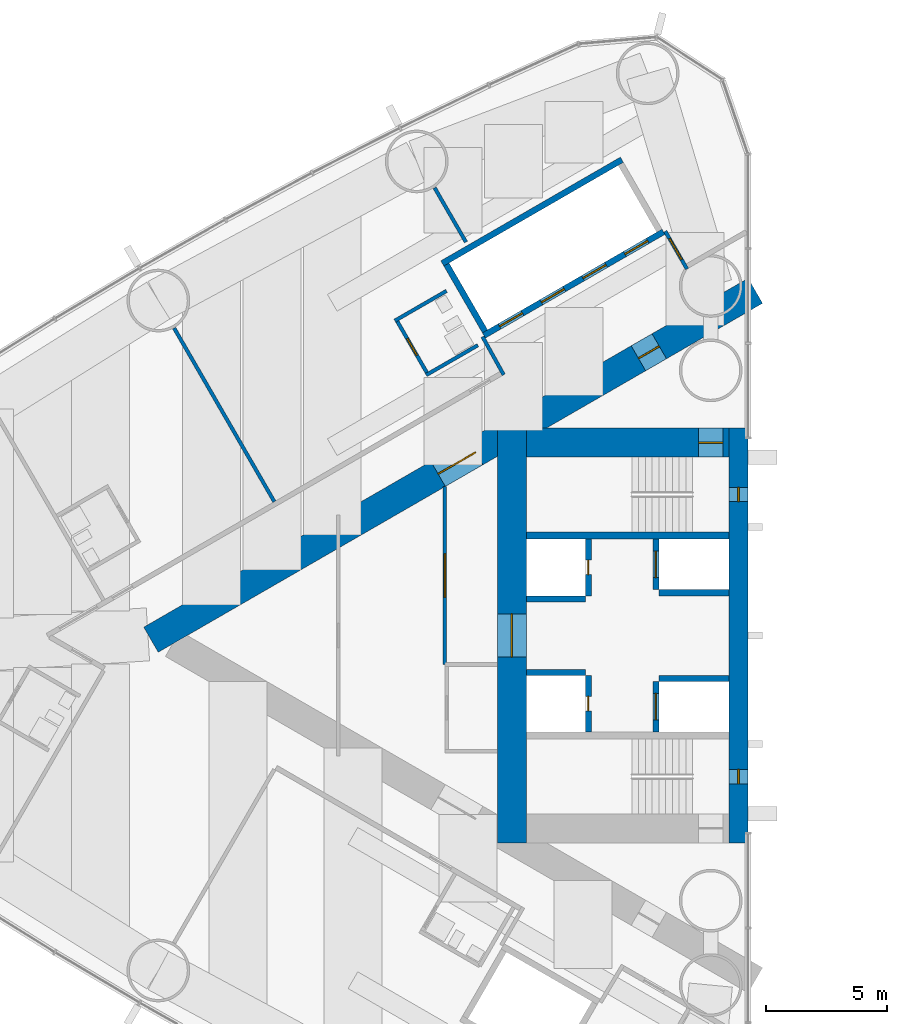
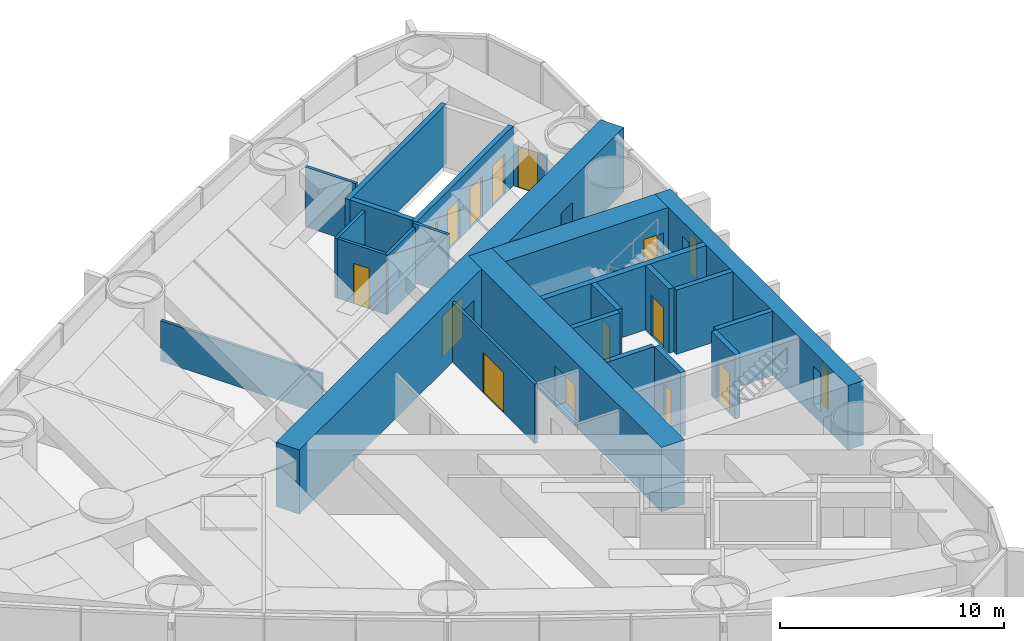
# One storey, part 12 of 19: 24 walls, 15 doors, 2 windows, 17 openings.
"""IFC4 building model written with IfcOpenShell, lengths in metres."""

from ifc_helpers import new_model, si_unit, direction, frame, frame_2d, origin, place, context, subcontext, project, spatial, rectangle, extrude, material, layer, layer_set, type_object, element, fill, save


model = new_model("IFC4")

# Units and contexts
model_context = context("Model", 3, precision=1e-05, world=origin(), true_north=direction((0.0, 1.0)))
body_context = subcontext(model_context, "Body", "Model", "MODEL_VIEW")
ifc_project = project(units=[si_unit("LENGTHUNIT", "METRE"), si_unit("AREAUNIT", "SQUARE_METRE"), si_unit("VOLUMEUNIT", "CUBIC_METRE"), si_unit("PLANEANGLEUNIT", "RADIAN"), si_unit("MASSUNIT", "GRAM", prefix="KILO")], contexts=[model_context])

# Site, building, storey
site_placement = place(None, origin())
site = spatial("IfcSite", under=ifc_project, at=site_placement, CompositionType="ELEMENT")
building_placement = place(site_placement, origin())
building = spatial("IfcBuilding", under=site, at=building_placement, Name="Lancet Gate Hotel", CompositionType="ELEMENT")
storey_placement = place(building_placement, frame((0.0, 0.0, 132.60009765625)))
storey = spatial("IfcBuildingStorey", under=building, at=storey_placement, Name="L35", CompositionType="ELEMENT", Elevation=132.60009765625)

# Wall
ifc_material_1 = material(Name="Moisture resistant board partition")
ifc_layer_1 = layer(ifc_material_1, 0.14990234375)
ifc_layer_set_1 = layer_set([ifc_layer_1], Name="Bathroom wall 150")
wall_type_1 = type_object("IfcWallType", Name="Bathroom wall 150", PredefinedType="PARTITIONING", material=ifc_layer_set_1)
wall_1_placement = place(storey_placement, frame((-40.009765625, 14.294189453125, 0.0), z_axis=(0.0, 0.0, 1.0), x_axis=(-0.866031185235, -0.4999899861, 0.0)))
element("IfcWall", 1, at=wall_1_placement, inside=storey, type_object=wall_type_1, Name="T1 bathroom wall 150 L35", PredefinedType="PARTITIONING", context=body_context, shape_type="SweptSolid", body=[
    extrude(rectangle(XDim=2.47509765625, YDim=0.14990234375, at=frame_2d((1.237548828125, 0.0))), origin(), (0.0, 0.0, 1.0), 3.25),
])

# Wall, opening, door
wall_2_placement = place(storey_placement, frame((-40.788330078125, 10.842529296875, 0.0), z_axis=(0.0, 0.0, 1.0), x_axis=(-0.500006934395, 0.866021400173, 0.0)))
wall_2 = element("IfcWall", 2, at=wall_2_placement, inside=storey, type_object=wall_type_1, Name="T1 bathroom wall 150 L35", PredefinedType="PARTITIONING", context=body_context, shape_type="SweptSolid", body=[
    extrude(rectangle(XDim=2.60009765625, YDim=0.14990234375, at=frame_2d((1.300048828125, 0.0))), origin(), (0.0, 0.0, 1.0), 3.25),
])
opening_1_placement = place(wall_2_placement, frame((0.89990234375, 0.0, 0.0)))
opening_1 = element("IfcOpeningElement", 3, at=opening_1_placement, cuts=wall_2, Name="Opening 3502-B", PredefinedType="OPENING", context=body_context, shape_type="SweptSolid", body=[
    extrude(rectangle(XDim=0.800048828125, YDim=2.199951171875, at=frame_2d((0.39990234375, 1.10009765625))), frame((0.0, 0.0849609375, 0.0), z_axis=(0.0, -1.0, 0.0), x_axis=(1.0, 0.0, 0.0)), (0.0, 0.0, 1.0), 0.169921875),
])
ifc_material_2 = material(Name="Timber door set", Category="wood")
door_type_1 = type_object("IfcDoorType", Name="Bathroom door 800", OperationType="SINGLE_SWING_RIGHT", PredefinedType="DOOR", material=ifc_material_2)
door_1_placement = place(opening_1_placement, origin())
door_1 = element("IfcDoor", 4, at=door_1_placement, inside=storey, type_object=door_type_1, Name="3502-B", OperationType="SINGLE_SWING_RIGHT", OverallHeight=2.199951171875, OverallWidth=0.800048828125, PredefinedType="DOOR", context=body_context, shape_type="SweptSolid", body=[
    extrude(rectangle(XDim=0.800048828125, YDim=2.199951171875, at=frame_2d((0.39990234375, 1.10009765625))), frame((0.0, 0.02490234375, 0.0), z_axis=(0.0, -1.0, 0.0), x_axis=(1.0, 0.0, 0.0)), (0.0, 0.0, 1.0), 0.050048828125),
])
fill(opening_1, door_1)

# Wall
wall_3_placement = place(storey_placement, frame((-38.7099609375, 12.04248046875, 0.0), z_axis=(0.0, 0.0, 1.0), x_axis=(-0.86604923931, -0.499958713387, 0.0)))
element("IfcWall", 5, at=wall_3_placement, inside=storey, type_object=wall_type_1, Name="T1 bathroom wall 150 L35", PredefinedType="PARTITIONING", context=body_context, shape_type="SweptSolid", body=[
    extrude(rectangle(XDim=2.474853515625, YDim=0.14990234375, at=frame_2d((1.2373046875, 0.0))), origin(), (0.0, 0.0, 1.0), 3.25),
])

# Wall, openings, doors
ifc_material_3 = material(Name="Concrete C70/85", Category="concrete")
ifc_layer_2 = layer(ifc_material_3, 1.199951171875)
ifc_layer_set_2 = layer_set([ifc_layer_2], Name="Buttress wall 1200")
wall_type_2 = type_object("IfcWallType", Name="Buttress wall 1200", PredefinedType="SHEAR", material=ifc_layer_set_2)
wall_4_placement = place(storey_placement, frame((-27.199951171875, 14.300048828125, 0.0), z_axis=(0.0, 0.0, 1.0), x_axis=(-0.866026593062, -0.499997940104, 0.0)))
wall_4 = element("IfcWall", 6, at=wall_4_placement, inside=storey, type_object=wall_type_2, Name="T1 buttress wall S L35", PredefinedType="SHEAR", context=body_context, shape_type="SweptSolid", body=[
    extrude(rectangle(XDim=28.9462890625, YDim=1.199951171875, at=frame_2d((14.47314453125, 0.0))), origin(), (0.0, 0.0, 1.0), 3.5),
])
opening_2_placement = place(wall_4_placement, frame((4.60009765625, 0.0, 0.0)))
opening_2 = element("IfcOpeningElement", 7, at=opening_2_placement, cuts=wall_4, Name="Opening T1-L35-LS", PredefinedType="OPENING", context=body_context, shape_type="SweptSolid", body=[
    extrude(rectangle(XDim=1.0, YDim=2.199951171875, at=frame_2d((0.5, 1.10009765625))), frame((0.0, 0.60986328125, 0.0), z_axis=(0.0, -1.0, 0.0), x_axis=(1.0, 0.0, 0.0)), (0.0, 0.0, 1.0), 1.219970703125),
])
opening_3_placement = place(wall_4_placement, frame((13.39453125, 0.0, 0.0)))
opening_3 = element("IfcOpeningElement", 8, at=opening_3_placement, cuts=wall_4, Name="Opening T1-L35-LHS", PredefinedType="OPENING", context=body_context, shape_type="SweptSolid", body=[
    extrude(rectangle(XDim=1.800048828125, YDim=2.199951171875, at=frame_2d((0.89990234375, 1.10009765625))), frame((0.0, 0.60986328125, 0.0), z_axis=(0.0, -1.0, 0.0), x_axis=(1.0, 0.0, 0.0)), (0.0, 0.0, 1.0), 1.219970703125),
])
ifc_material_4 = material(Name="Timber door set", Category="wood")
door_type_2 = type_object("IfcDoorType", Name="Lobby double door 1800", OperationType="DOUBLE_DOOR_SINGLE_SWING", PredefinedType="DOOR", material=ifc_material_4)
door_2_placement = place(opening_3_placement, origin())
door_2 = element("IfcDoor", 9, at=door_2_placement, inside=storey, type_object=door_type_2, Name="T1-L35-LHS", OperationType="DOUBLE_DOOR_SINGLE_SWING", OverallHeight=2.199951171875, OverallWidth=1.800048828125, PredefinedType="DOOR", context=body_context, shape_type="SweptSolid", body=[
    extrude(rectangle(XDim=1.800048828125, YDim=2.199951171875, at=frame_2d((0.89990234375, 1.10009765625))), frame((0.0, 0.02490234375, 0.0), z_axis=(0.0, -1.0, 0.0), x_axis=(1.0, 0.0, 0.0)), (0.0, 0.0, 1.0), 0.050048828125),
])
fill(opening_3, door_2)
ifc_material_5 = material(Name="Timber door set", Category="wood")
door_type_3 = type_object("IfcDoorType", Name="Stair lobby door 1000", OperationType="SINGLE_SWING_LEFT", PredefinedType="DOOR", material=ifc_material_5)
door_3_placement = place(opening_2_placement, origin())
door_3 = element("IfcDoor", 10, at=door_3_placement, inside=storey, type_object=door_type_3, Name="T1-L35-LS", OperationType="SINGLE_SWING_LEFT", OverallHeight=2.199951171875, OverallWidth=1.0, PredefinedType="DOOR", context=body_context, shape_type="SweptSolid", body=[
    extrude(rectangle(XDim=1.0, YDim=2.199951171875, at=frame_2d((0.5, 1.10009765625))), frame((0.0, 0.02490234375, 0.0), z_axis=(0.0, -1.0, 0.0), x_axis=(1.0, 0.0, 0.0)), (0.0, 0.0, 1.0), 0.050048828125),
])
fill(opening_2, door_3)

# Wall, opening, door
ifc_material_6 = material(Name="Concrete C70/85", Category="concrete")
ifc_layer_3 = layer(ifc_material_6, 1.199951171875)
ifc_layer_set_3 = layer_set([ifc_layer_3], Name="Core wall 1200")
wall_type_3 = type_object("IfcWallType", Name="Core wall 1200", PredefinedType="SHEAR", material=ifc_layer_set_3)
wall_5_placement = place(storey_placement, frame((-37.300048828125, 8.60009765625, 0.0), z_axis=(0.0, 0.0, 1.0), x_axis=(0.0, -1.0, 0.0)))
wall_5 = element("IfcWall", 11, at=wall_5_placement, inside=storey, type_object=wall_type_3, Name="T1 core wall back L35", PredefinedType="SHEAR", context=body_context, shape_type="SweptSolid", body=[
    extrude(rectangle(XDim=17.2001953125, YDim=1.199951171875, at=frame_2d((8.60009765625, 0.0))), origin(), (0.0, 0.0, 1.0), 3.5),
])
opening_4_placement = place(wall_5_placement, frame((7.699951171875, 0.0, 0.0)))
opening_4 = element("IfcOpeningElement", 12, at=opening_4_placement, cuts=wall_5, Name="Opening T1-L35-LL", PredefinedType="OPENING", context=body_context, shape_type="SweptSolid", body=[
    extrude(rectangle(XDim=1.800048828125, YDim=2.199951171875, at=frame_2d((0.89990234375, 1.10009765625))), frame((0.0, 0.60986328125, 0.0), z_axis=(0.0, -1.0, 0.0), x_axis=(1.0, 0.0, 0.0)), (0.0, 0.0, 1.0), 1.219970703125),
])
door_4_placement = place(opening_4_placement, origin())
door_4 = element("IfcDoor", 13, at=door_4_placement, inside=storey, type_object=door_type_2, Name="T1-L35-LL", OperationType="DOUBLE_DOOR_SINGLE_SWING", OverallHeight=2.199951171875, OverallWidth=1.800048828125, PredefinedType="DOOR", context=body_context, shape_type="SweptSolid", body=[
    extrude(rectangle(XDim=1.800048828125, YDim=2.199951171875, at=frame_2d((0.89990234375, 1.10009765625))), frame((0.0, 0.02490234375, 0.0), z_axis=(0.0, -1.0, 0.0), x_axis=(1.0, 0.0, 0.0)), (0.0, 0.0, 1.0), 0.050048828125),
])
fill(opening_4, door_4)

wall_6_placement = place(storey_placement, frame((-28.300048828125, 8.0, 0.0), z_axis=(0.0, 0.0, 1.0), x_axis=(-1.0, 0.0, 0.0)))
wall_6 = element("IfcWall", 14, at=wall_6_placement, inside=storey, type_object=wall_type_3, Name="T1 core wall side-S L35", PredefinedType="SHEAR", context=body_context, shape_type="SweptSolid", body=[
    extrude(rectangle(XDim=8.39990234375, YDim=1.199951171875, at=frame_2d((4.199951171875, 0.0))), origin(), (0.0, 0.0, 1.0), 3.5),
])
opening_5_placement = place(wall_6_placement, frame((0.25, 0.0, 0.0)))
opening_5 = element("IfcOpeningElement", 15, at=opening_5_placement, cuts=wall_6, Name="Opening T1-L35-ST1", PredefinedType="OPENING", context=body_context, shape_type="SweptSolid", body=[
    extrude(rectangle(XDim=1.0, YDim=2.199951171875, at=frame_2d((0.5, 1.10009765625))), frame((0.0, 0.60986328125, 0.0), z_axis=(0.0, -1.0, 0.0), x_axis=(1.0, 0.0, 0.0)), (0.0, 0.0, 1.0), 1.219970703125),
])
ifc_material_7 = material(Name="Timber door set", Category="wood")
door_type_4 = type_object("IfcDoorType", Name="Stair door 1000", OperationType="SINGLE_SWING_RIGHT", PredefinedType="DOOR", material=ifc_material_7)
door_5_placement = place(opening_5_placement, origin())
door_5 = element("IfcDoor", 16, at=door_5_placement, inside=storey, type_object=door_type_4, Name="T1-L35-ST1", OperationType="SINGLE_SWING_RIGHT", OverallHeight=2.199951171875, OverallWidth=1.0, PredefinedType="DOOR", context=body_context, shape_type="SweptSolid", body=[
    extrude(rectangle(XDim=1.0, YDim=2.199951171875, at=frame_2d((0.5, 1.10009765625))), frame((0.0, 0.02490234375, 0.0), z_axis=(0.0, -1.0, 0.0), x_axis=(1.0, 0.0, 0.0)), (0.0, 0.0, 1.0), 0.050048828125),
])
fill(opening_5, door_5)

# Wall, openings, windows
ifc_material_8 = material(Name="Concrete C70/85", Category="concrete")
ifc_layer_4 = layer(ifc_material_8, 0.800048828125)
ifc_layer_set_4 = layer_set([ifc_layer_4], Name="Core wall 800")
wall_type_4 = type_object("IfcWallType", Name="Core wall 800", PredefinedType="SHEAR", material=ifc_layer_set_4)
wall_7_placement = place(storey_placement, frame((-27.89990234375, 8.60009765625, 0.0), z_axis=(0.0, 0.0, 1.0), x_axis=(0.0, -1.0, 0.0)))
wall_7 = element("IfcWall", 17, at=wall_7_placement, inside=storey, type_object=wall_type_4, Name="T1 core wall front L35", PredefinedType="SHEAR", context=body_context, shape_type="SweptSolid", body=[
    extrude(rectangle(XDim=17.2001953125, YDim=0.800048828125, at=frame_2d((8.60009765625, 0.0))), origin(), (0.0, 0.0, 1.0), 3.5),
])
opening_6_placement = place(wall_7_placement, frame((2.449951171875, 0.0, 0.60009765625)))
opening_6 = element("IfcOpeningElement", 18, at=opening_6_placement, cuts=wall_7, Name="Opening LW1", PredefinedType="OPENING", context=body_context, shape_type="SweptSolid", body=[
    extrude(rectangle(XDim=0.60009765625, YDim=2.10009765625, at=frame_2d((0.300048828125, 1.050048828125))), frame((0.0, 0.409912109375, 0.0), z_axis=(0.0, -1.0, 0.0), x_axis=(1.0, 0.0, 0.0)), (0.0, 0.0, 1.0), 0.820068359375),
])
opening_7_placement = place(wall_7_placement, frame((14.14990234375, 0.0, 0.60009765625)))
opening_7 = element("IfcOpeningElement", 19, at=opening_7_placement, cuts=wall_7, Name="Opening LW1", PredefinedType="OPENING", context=body_context, shape_type="SweptSolid", body=[
    extrude(rectangle(XDim=0.60009765625, YDim=2.10009765625, at=frame_2d((0.300048828125, 1.050048828125))), frame((0.0, 0.409912109375, 0.0), z_axis=(0.0, -1.0, 0.0), x_axis=(1.0, 0.0, 0.0)), (0.0, 0.0, 1.0), 0.820068359375),
])
ifc_material_9 = material(Name="Fire-resisting glazed steel window", Category="steel")
window_type = type_object("IfcWindowType", Name="Lancet window 600x2100", PartitioningType="SINGLE_PANEL", PredefinedType="WINDOW", material=ifc_material_9)
window_1_placement = place(opening_6_placement, origin())
window_1 = element("IfcWindow", 20, at=window_1_placement, inside=storey, type_object=window_type, Name="T1 stair window S L35", OverallHeight=2.10009765625, OverallWidth=0.60009765625, PartitioningType="SINGLE_PANEL", PredefinedType="WINDOW", context=body_context, shape_type="SweptSolid", body=[
    extrude(rectangle(XDim=0.60009765625, YDim=2.10009765625, at=frame_2d((0.300048828125, 1.050048828125))), frame((0.0, 0.030029296875, 0.0), z_axis=(0.0, -1.0, 0.0), x_axis=(1.0, 0.0, 0.0)), (0.0, 0.0, 1.0), 0.06005859375),
])
fill(opening_6, window_1)
window_2_placement = place(opening_7_placement, origin())
window_2 = element("IfcWindow", 21, at=window_2_placement, inside=storey, type_object=window_type, Name="T1 stair window N L35", OverallHeight=2.10009765625, OverallWidth=0.60009765625, PartitioningType="SINGLE_PANEL", PredefinedType="WINDOW", context=body_context, shape_type="SweptSolid", body=[
    extrude(rectangle(XDim=0.60009765625, YDim=2.10009765625, at=frame_2d((0.300048828125, 1.050048828125))), frame((0.0, 0.030029296875, 0.0), z_axis=(0.0, -1.0, 0.0), x_axis=(1.0, 0.0, 0.0)), (0.0, 0.0, 1.0), 0.06005859375),
])
fill(opening_7, window_2)

# Wall, openings, doors
ifc_material_10 = material(Name="Gypsum board partition")
ifc_layer_5 = layer(ifc_material_10, 0.25)
ifc_layer_set_5 = layer_set([ifc_layer_5], Name="Lift shaft partition 250")
wall_type_5 = type_object("IfcWallType", Name="Lift shaft partition 250", PredefinedType="PARTITIONING", material=ifc_layer_set_5)
wall_8_placement = place(storey_placement, frame((-31.010498046875, 16.747314453125, 0.0), z_axis=(0.0, 0.0, 1.0), x_axis=(-0.866028165386, -0.499995216735, 0.0)))
wall_8 = element("IfcWall", 22, at=wall_8_placement, inside=storey, type_object=wall_type_5, Name="T1 lift shaft wall LR L35", PredefinedType="PARTITIONING", context=body_context, shape_type="SweptSolid", body=[
    extrude(rectangle(XDim=8.60009765625, YDim=0.25, at=frame_2d((4.300048828125, 0.0))), origin(), (0.0, 0.0, 1.0), 3.25),
])
opening_8_placement = place(wall_8_placement, frame((0.75, 0.0, 0.0)))
opening_8 = element("IfcOpeningElement", 23, at=opening_8_placement, cuts=wall_8, Name="Opening T1-LR1-L35", PredefinedType="OPENING", context=body_context, shape_type="SweptSolid", body=[
    extrude(rectangle(XDim=1.10009765625, YDim=2.199951171875, at=frame_2d((0.550048828125, 1.10009765625))), frame((0.0, 0.135009765625, 0.0), z_axis=(0.0, -1.0, 0.0), x_axis=(1.0, 0.0, 0.0)), (0.0, 0.0, 1.0), 0.27001953125),
])
opening_9_placement = place(wall_8_placement, frame((2.75, 0.0, 0.0)))
opening_9 = element("IfcOpeningElement", 24, at=opening_9_placement, cuts=wall_8, Name="Opening T1-LR2-L35", PredefinedType="OPENING", context=body_context, shape_type="SweptSolid", body=[
    extrude(rectangle(XDim=1.10009765625, YDim=2.199951171875, at=frame_2d((0.550048828125, 1.10009765625))), frame((0.0, 0.135009765625, 0.0), z_axis=(0.0, -1.0, 0.0), x_axis=(1.0, 0.0, 0.0)), (0.0, 0.0, 1.0), 0.27001953125),
])
opening_10_placement = place(wall_8_placement, frame((4.75, 0.0, 0.0)))
opening_10 = element("IfcOpeningElement", 25, at=opening_10_placement, cuts=wall_8, Name="Opening T1-LR3-L35", PredefinedType="OPENING", context=body_context, shape_type="SweptSolid", body=[
    extrude(rectangle(XDim=1.10009765625, YDim=2.199951171875, at=frame_2d((0.550048828125, 1.10009765625))), frame((0.0, 0.135009765625, 0.0), z_axis=(0.0, -1.0, 0.0), x_axis=(1.0, 0.0, 0.0)), (0.0, 0.0, 1.0), 0.27001953125),
])
opening_11_placement = place(wall_8_placement, frame((6.75, 0.0, 0.0)))
opening_11 = element("IfcOpeningElement", 26, at=opening_11_placement, cuts=wall_8, Name="Opening T1-LR4-L35", PredefinedType="OPENING", context=body_context, shape_type="SweptSolid", body=[
    extrude(rectangle(XDim=1.10009765625, YDim=2.199951171875, at=frame_2d((0.550048828125, 1.10009765625))), frame((0.0, 0.135009765625, 0.0), z_axis=(0.0, -1.0, 0.0), x_axis=(1.0, 0.0, 0.0)), (0.0, 0.0, 1.0), 0.27001953125),
])
ifc_material_11 = material(Name="Steel door set", Category="steel")
door_type_5 = type_object("IfcDoorType", Name="Lift landing door 1100", OperationType="DOUBLE_DOOR_SLIDING", PredefinedType="USERDEFINED", material=ifc_material_11)
door_6_placement = place(opening_8_placement, origin())
door_6 = element("IfcDoor", 27, at=door_6_placement, inside=storey, type_object=door_type_5, Name="T1-LR1-L35", ObjectType="LIFT LANDING DOOR", OperationType="DOUBLE_DOOR_SLIDING", OverallHeight=2.199951171875, OverallWidth=1.10009765625, PredefinedType="USERDEFINED", context=body_context, shape_type="SweptSolid", body=[
    extrude(rectangle(XDim=1.10009765625, YDim=2.199951171875, at=frame_2d((0.550048828125, 1.10009765625))), frame((0.0, 0.02490234375, 0.0), z_axis=(0.0, -1.0, 0.0), x_axis=(1.0, 0.0, 0.0)), (0.0, 0.0, 1.0), 0.050048828125),
])
fill(opening_8, door_6)
door_7_placement = place(opening_9_placement, origin())
door_7 = element("IfcDoor", 28, at=door_7_placement, inside=storey, type_object=door_type_5, Name="T1-LR2-L35", ObjectType="LIFT LANDING DOOR", OperationType="DOUBLE_DOOR_SLIDING", OverallHeight=2.199951171875, OverallWidth=1.10009765625, PredefinedType="USERDEFINED", context=body_context, shape_type="SweptSolid", body=[
    extrude(rectangle(XDim=1.10009765625, YDim=2.199951171875, at=frame_2d((0.550048828125, 1.10009765625))), frame((0.0, 0.02490234375, 0.0), z_axis=(0.0, -1.0, 0.0), x_axis=(1.0, 0.0, 0.0)), (0.0, 0.0, 1.0), 0.050048828125),
])
fill(opening_9, door_7)
door_8_placement = place(opening_10_placement, origin())
door_8 = element("IfcDoor", 29, at=door_8_placement, inside=storey, type_object=door_type_5, Name="T1-LR3-L35", ObjectType="LIFT LANDING DOOR", OperationType="DOUBLE_DOOR_SLIDING", OverallHeight=2.199951171875, OverallWidth=1.10009765625, PredefinedType="USERDEFINED", context=body_context, shape_type="SweptSolid", body=[
    extrude(rectangle(XDim=1.10009765625, YDim=2.199951171875, at=frame_2d((0.550048828125, 1.10009765625))), frame((0.0, 0.02490234375, 0.0), z_axis=(0.0, -1.0, 0.0), x_axis=(1.0, 0.0, 0.0)), (0.0, 0.0, 1.0), 0.050048828125),
])
fill(opening_10, door_8)
door_9_placement = place(opening_11_placement, origin())
door_9 = element("IfcDoor", 30, at=door_9_placement, inside=storey, type_object=door_type_5, Name="T1-LR4-L35", ObjectType="LIFT LANDING DOOR", OperationType="DOUBLE_DOOR_SLIDING", OverallHeight=2.199951171875, OverallWidth=1.10009765625, PredefinedType="USERDEFINED", context=body_context, shape_type="SweptSolid", body=[
    extrude(rectangle(XDim=1.10009765625, YDim=2.199951171875, at=frame_2d((0.550048828125, 1.10009765625))), frame((0.0, 0.02490234375, 0.0), z_axis=(0.0, -1.0, 0.0), x_axis=(1.0, 0.0, 0.0)), (0.0, 0.0, 1.0), 0.050048828125),
])
fill(opening_11, door_9)

# Walls
wall_9_placement = place(storey_placement, frame((-32.735595703125, 19.73583984375, 0.0), z_axis=(0.0, 0.0, 1.0), x_axis=(-0.866028165386, -0.499995216735, 0.0)))
element("IfcWall", 31, at=wall_9_placement, inside=storey, type_object=wall_type_5, Name="T1 lift shaft wall LR L35", PredefinedType="PARTITIONING", context=body_context, shape_type="SweptSolid", body=[
    extrude(rectangle(XDim=8.60009765625, YDim=0.25, at=frame_2d((4.300048828125, 0.0))), origin(), (0.0, 0.0, 1.0), 3.25),
])
wall_10_placement = place(storey_placement, frame((-38.412841796875, 12.617919921875, 0.0), z_axis=(0.0, 0.0, 1.0), x_axis=(-0.499872130319, 0.866099216793, 0.0)))
element("IfcWall", 32, at=wall_10_placement, inside=storey, type_object=wall_type_5, Name="T1 lift shaft wall LR L35", PredefinedType="PARTITIONING", context=body_context, shape_type="SweptSolid", body=[
    extrude(rectangle(XDim=3.200439453125, YDim=0.25, at=frame_2d((1.60009765625, 0.0))), origin(), (0.0, 0.0, 1.0), 3.25),
])

# Wall, opening, door
ifc_material_12 = material(Name="Concrete C50/60", Category="concrete")
ifc_layer_6 = layer(ifc_material_12, 0.25)
ifc_layer_set_6 = layer_set([ifc_layer_6], Name="Lift shaft wall 250")
wall_type_6 = type_object("IfcWallType", Name="Lift shaft wall 250", PredefinedType="SHEAR", material=ifc_layer_set_6)
wall_11_placement = place(storey_placement, frame((-31.324951171875, 4.0, 0.0), z_axis=(0.0, 0.0, 1.0), x_axis=(0.0, -1.0, 0.0)))
wall_11 = element("IfcWall", 33, at=wall_11_placement, inside=storey, type_object=wall_type_6, Name="T1 core wall row1-S L35", PredefinedType="SHEAR", context=body_context, shape_type="SweptSolid", body=[
    extrude(rectangle(XDim=2.10009765625, YDim=0.25, at=frame_2d((1.050048828125, 0.0))), origin(), (0.0, 0.0, 1.0), 3.5),
])
opening_12_placement = place(wall_11_placement, frame((0.5, 0.0, 0.0)))
opening_12 = element("IfcOpeningElement", 34, at=opening_12_placement, cuts=wall_11, Name="Opening T1-SL1-L35", PredefinedType="OPENING", context=body_context, shape_type="SweptSolid", body=[
    extrude(rectangle(XDim=1.10009765625, YDim=2.199951171875, at=frame_2d((0.550048828125, 1.10009765625))), frame((0.0, 0.135009765625, 0.0), z_axis=(0.0, -1.0, 0.0), x_axis=(1.0, 0.0, 0.0)), (0.0, 0.0, 1.0), 0.27001953125),
])
ifc_material_13 = material(Name="Timber door set", Category="wood")
door_type_6 = type_object("IfcDoorType", Name="Service lift landing door 1100", OperationType="SLIDING_TO_LEFT", PredefinedType="USERDEFINED", material=ifc_material_13)
door_10_placement = place(opening_12_placement, origin())
door_10 = element("IfcDoor", 35, at=door_10_placement, inside=storey, type_object=door_type_6, Name="T1-SL1-L35", ObjectType="LIFT LANDING DOOR", OperationType="SLIDING_TO_LEFT", OverallHeight=2.199951171875, OverallWidth=1.10009765625, PredefinedType="USERDEFINED", context=body_context, shape_type="SweptSolid", body=[
    extrude(rectangle(XDim=1.10009765625, YDim=2.199951171875, at=frame_2d((0.550048828125, 1.10009765625))), frame((0.0, 0.02490234375, 0.0), z_axis=(0.0, -1.0, 0.0), x_axis=(1.0, 0.0, 0.0)), (0.0, 0.0, 1.0), 0.050048828125),
])
fill(opening_12, door_10)

wall_12_placement = place(storey_placement, frame((-34.125, 4.0, 0.0), z_axis=(0.0, 0.0, 1.0), x_axis=(0.0, -1.0, 0.0)))
wall_12 = element("IfcWall", 36, at=wall_12_placement, inside=storey, type_object=wall_type_6, Name="T1 core wall row2-S L35", PredefinedType="SHEAR", context=body_context, shape_type="SweptSolid", body=[
    extrude(rectangle(XDim=2.35009765625, YDim=0.25, at=frame_2d((1.175048828125, 0.0))), origin(), (0.0, 0.0, 1.0), 3.5),
])
opening_13_placement = place(wall_12_placement, frame((0.875, 0.0, 0.0)))
opening_13 = element("IfcOpeningElement", 37, at=opening_13_placement, cuts=wall_12, Name="Opening T1-OL3-L35-E", PredefinedType="OPENING", context=body_context, shape_type="SweptSolid", body=[
    extrude(rectangle(XDim=0.60009765625, YDim=2.0, at=frame_2d((0.300048828125, 1.0))), frame((0.0, 0.135009765625, 0.0), z_axis=(0.0, -1.0, 0.0), x_axis=(1.0, 0.0, 0.0)), (0.0, 0.0, 1.0), 0.27001953125),
])
ifc_material_14 = material(Name="Steel door set", Category="steel")
door_type_7 = type_object("IfcDoorType", Name="Lift shaft emergency door 600x2000", OperationType="SLIDING_TO_LEFT", PredefinedType="DOOR", material=ifc_material_14)
door_11_placement = place(opening_13_placement, origin())
door_11 = element("IfcDoor", 38, at=door_11_placement, inside=storey, type_object=door_type_7, Name="T1-OL3-L35-E", OperationType="SLIDING_TO_LEFT", OverallHeight=2.0, OverallWidth=0.60009765625, PredefinedType="DOOR", context=body_context, shape_type="SweptSolid", body=[
    extrude(rectangle(XDim=0.60009765625, YDim=2.0, at=frame_2d((0.300048828125, 1.0))), frame((0.0, 0.02490234375, 0.0), z_axis=(0.0, -1.0, 0.0), x_axis=(1.0, 0.0, 0.0)), (0.0, 0.0, 1.0), 0.050048828125),
])
fill(opening_13, door_11)

# Walls
wall_13_placement = place(storey_placement, frame((-28.300048828125, 1.77490234375, 0.0), z_axis=(0.0, 0.0, 1.0), x_axis=(-1.0, 0.0, 0.0)))
element("IfcWall", 39, at=wall_13_placement, inside=storey, type_object=wall_type_6, Name="T1 core wall pass1-S L35", PredefinedType="SHEAR", context=body_context, shape_type="SweptSolid", body=[
    extrude(rectangle(XDim=2.89990234375, YDim=0.25, at=frame_2d((1.449951171875, 0.0))), origin(), (0.0, 0.0, 1.0), 3.5),
])
wall_14_placement = place(storey_placement, frame((-34.25, 1.52490234375, 0.0), z_axis=(0.0, 0.0, 1.0), x_axis=(-1.0, 0.0, 0.0)))
element("IfcWall", 40, at=wall_14_placement, inside=storey, type_object=wall_type_6, Name="T1 core wall pass2-S L35", PredefinedType="SHEAR", context=body_context, shape_type="SweptSolid", body=[
    extrude(rectangle(XDim=2.449951171875, YDim=0.25, at=frame_2d((1.22509765625, 0.0))), origin(), (0.0, 0.0, 1.0), 3.5),
])

# Wall, opening, door
wall_15_placement = place(storey_placement, frame((-31.324951171875, -1.89990234375, 0.0), z_axis=(0.0, 0.0, 1.0), x_axis=(0.0, -1.0, 0.0)))
wall_15 = element("IfcWall", 41, at=wall_15_placement, inside=storey, type_object=wall_type_6, Name="T1 core wall row1-N L35", PredefinedType="SHEAR", context=body_context, shape_type="SweptSolid", body=[
    extrude(rectangle(XDim=2.10009765625, YDim=0.25, at=frame_2d((1.050048828125, 0.0))), origin(), (0.0, 0.0, 1.0), 3.5),
])
opening_14_placement = place(wall_15_placement, frame((0.5, 0.0, 0.0)))
opening_14 = element("IfcOpeningElement", 42, at=opening_14_placement, cuts=wall_15, Name="Opening T1-FL2-L35", PredefinedType="OPENING", context=body_context, shape_type="SweptSolid", body=[
    extrude(rectangle(XDim=1.10009765625, YDim=2.199951171875, at=frame_2d((0.550048828125, 1.10009765625))), frame((0.0, 0.135009765625, 0.0), z_axis=(0.0, -1.0, 0.0), x_axis=(1.0, 0.0, 0.0)), (0.0, 0.0, 1.0), 0.27001953125),
])
ifc_material_15 = material(Name="Steel door set", Category="steel")
door_type_8 = type_object("IfcDoorType", Name="Firefighting lift landing door 1100", OperationType="SLIDING_TO_LEFT", PredefinedType="USERDEFINED", material=ifc_material_15)
door_12_placement = place(opening_14_placement, origin())
door_12 = element("IfcDoor", 43, at=door_12_placement, inside=storey, type_object=door_type_8, Name="T1-FL2-L35", ObjectType="LIFT LANDING DOOR", OperationType="SLIDING_TO_LEFT", OverallHeight=2.199951171875, OverallWidth=1.10009765625, PredefinedType="USERDEFINED", context=body_context, shape_type="SweptSolid", body=[
    extrude(rectangle(XDim=1.10009765625, YDim=2.199951171875, at=frame_2d((0.550048828125, 1.10009765625))), frame((0.0, 0.02490234375, 0.0), z_axis=(0.0, -1.0, 0.0), x_axis=(1.0, 0.0, 0.0)), (0.0, 0.0, 1.0), 0.050048828125),
])
fill(opening_14, door_12)

wall_16_placement = place(storey_placement, frame((-34.125, -1.64990234375, 0.0), z_axis=(0.0, 0.0, 1.0), x_axis=(0.0, -1.0, 0.0)))
wall_16 = element("IfcWall", 44, at=wall_16_placement, inside=storey, type_object=wall_type_6, Name="T1 core wall row2-N L35", PredefinedType="SHEAR", context=body_context, shape_type="SweptSolid", body=[
    extrude(rectangle(XDim=2.35009765625, YDim=0.25, at=frame_2d((1.175048828125, 0.0))), origin(), (0.0, 0.0, 1.0), 3.5),
])
opening_15_placement = place(wall_16_placement, frame((0.875, 0.0, 0.0)))
opening_15 = element("IfcOpeningElement", 45, at=opening_15_placement, cuts=wall_16, Name="Opening T1-OL4-L35-E", PredefinedType="OPENING", context=body_context, shape_type="SweptSolid", body=[
    extrude(rectangle(XDim=0.60009765625, YDim=2.0, at=frame_2d((0.300048828125, 1.0))), frame((0.0, 0.135009765625, 0.0), z_axis=(0.0, -1.0, 0.0), x_axis=(1.0, 0.0, 0.0)), (0.0, 0.0, 1.0), 0.27001953125),
])
door_13_placement = place(opening_15_placement, origin())
door_13 = element("IfcDoor", 46, at=door_13_placement, inside=storey, type_object=door_type_7, Name="T1-OL4-L35-E", OperationType="SLIDING_TO_LEFT", OverallHeight=2.0, OverallWidth=0.60009765625, PredefinedType="DOOR", context=body_context, shape_type="SweptSolid", body=[
    extrude(rectangle(XDim=0.60009765625, YDim=2.0, at=frame_2d((0.300048828125, 1.0))), frame((0.0, 0.02490234375, 0.0), z_axis=(0.0, -1.0, 0.0), x_axis=(1.0, 0.0, 0.0)), (0.0, 0.0, 1.0), 0.050048828125),
])
fill(opening_15, door_13)

# Walls
wall_17_placement = place(storey_placement, frame((-28.300048828125, -1.77490234375, 0.0), z_axis=(0.0, 0.0, 1.0), x_axis=(-1.0, 0.0, 0.0)))
element("IfcWall", 47, at=wall_17_placement, inside=storey, type_object=wall_type_6, Name="T1 core wall pass1-N L35", PredefinedType="SHEAR", context=body_context, shape_type="SweptSolid", body=[
    extrude(rectangle(XDim=2.89990234375, YDim=0.25, at=frame_2d((1.449951171875, 0.0))), origin(), (0.0, 0.0, 1.0), 3.5),
])
wall_18_placement = place(storey_placement, frame((-34.25, -1.52490234375, 0.0), z_axis=(0.0, 0.0, 1.0), x_axis=(-1.0, 0.0, 0.0)))
element("IfcWall", 48, at=wall_18_placement, inside=storey, type_object=wall_type_6, Name="T1 core wall pass2-N L35", PredefinedType="SHEAR", context=body_context, shape_type="SweptSolid", body=[
    extrude(rectangle(XDim=2.449951171875, YDim=0.25, at=frame_2d((1.22509765625, 0.0))), origin(), (0.0, 0.0, 1.0), 3.5),
])
ifc_material_16 = material(Name="Gypsum board partition")
ifc_layer_7 = layer(ifc_material_16, 0.14990234375)
ifc_layer_set_7 = layer_set([ifc_layer_7], Name="Party wall 150")
wall_type_7 = type_object("IfcWallType", Name="Party wall 150", PredefinedType="PARTITIONING", material=ifc_layer_set_7)
wall_19_placement = place(storey_placement, frame((-47.151123046875, 5.552490234375, 0.0), z_axis=(0.0, 0.0, 1.0), x_axis=(-0.500003012045, 0.866023664773, 0.0)))
element("IfcWall", 49, at=wall_19_placement, inside=storey, type_object=wall_type_7, Name="T1 party wall 150 L35", PredefinedType="PARTITIONING", context=body_context, shape_type="SweptSolid", body=[
    extrude(rectangle(XDim=8.31103515625, YDim=0.14990234375, at=frame_2d((4.155517578125, 0.0))), origin(), (0.0, 0.0, 1.0), 2.199951171875),
])
wall_20_placement = place(storey_placement, frame((-39.202392578125, 16.31982421875, 0.0), z_axis=(0.0, 0.0, 1.0), x_axis=(-0.499947391036, 0.866055775454, 0.0)))
element("IfcWall", 50, at=wall_20_placement, inside=storey, type_object=wall_type_7, Name="T1 party wall 150 L35", PredefinedType="PARTITIONING", context=body_context, shape_type="SweptSolid", body=[
    extrude(rectangle(XDim=2.599365234375, YDim=0.14990234375, at=frame_2d((1.2998046875, 0.0))), origin(), (0.0, 0.0, 1.0), 3.25),
])
ifc_material_17 = material(Name="Gypsum board partition")
ifc_layer_8 = layer(ifc_material_17, 0.14990234375)
ifc_layer_set_8 = layer_set([ifc_layer_8], Name="Service room wall 150")
wall_type_8 = type_object("IfcWallType", Name="Service room wall 150", PredefinedType="PARTITIONING", material=ifc_layer_set_8)
wall_21_placement = place(storey_placement, frame((-38.513427734375, 12.392333984375, 0.0), z_axis=(0.0, 0.0, 1.0), x_axis=(0.485585508183, -0.874189175317, 0.0)))
element("IfcWall", 51, at=wall_21_placement, inside=storey, type_object=wall_type_8, Name="T1 service room wall 150 L35", PredefinedType="PARTITIONING", context=body_context, shape_type="SweptSolid", body=[
    extrude(rectangle(XDim=1.804931640625, YDim=0.14990234375, at=frame_2d((0.90234375, 0.0))), origin(), (0.0, 0.0, 1.0), 3.25),
])

# Wall, opening, door
wall_22_placement = place(storey_placement, frame((-30.033203125, 15.20458984375, 0.0), z_axis=(0.0, 0.0, 1.0), x_axis=(-0.499980071345, 0.866036909293, 0.0)))
wall_22 = element("IfcWall", 52, at=wall_22_placement, inside=storey, type_object=wall_type_8, Name="T1 service room wall 150 L35", PredefinedType="PARTITIONING", context=body_context, shape_type="SweptSolid", body=[
    extrude(rectangle(XDim=1.8046875, YDim=0.14990234375, at=frame_2d((0.90234375, 0.0))), origin(), (0.0, 0.0, 1.0), 2.199951171875),
])
opening_16_placement = place(wall_22_placement, frame((0.451904296875, 0.0, 0.0)))
opening_16 = element("IfcOpeningElement", 53, at=opening_16_placement, cuts=wall_22, Name="Opening T1-L35-LO1", PredefinedType="OPENING", context=body_context, shape_type="SweptSolid", body=[
    extrude(rectangle(XDim=1.0, YDim=2.199951171875, at=frame_2d((0.5, 1.10009765625))), frame((0.0, 0.0849609375, 0.0), z_axis=(0.0, -1.0, 0.0), x_axis=(1.0, 0.0, 0.0)), (0.0, 0.0, 1.0), 0.169921875),
])
ifc_material_18 = material(Name="Timber door set", Category="wood")
door_type_9 = type_object("IfcDoorType", Name="Service door 1000", OperationType="SINGLE_SWING_LEFT", PredefinedType="DOOR", material=ifc_material_18)
door_14_placement = place(opening_16_placement, origin())
door_14 = element("IfcDoor", 54, at=door_14_placement, inside=storey, type_object=door_type_9, Name="T1-L35-LO1", OperationType="SINGLE_SWING_LEFT", OverallHeight=2.199951171875, OverallWidth=1.0, PredefinedType="DOOR", context=body_context, shape_type="SweptSolid", body=[
    extrude(rectangle(XDim=1.0, YDim=2.199951171875, at=frame_2d((0.5, 1.10009765625))), frame((0.0, 0.02490234375, 0.0), z_axis=(0.0, -1.0, 0.0), x_axis=(1.0, 0.0, 0.0)), (0.0, 0.0, 1.0), 0.050048828125),
])
fill(opening_16, door_14)

wall_23_placement = place(storey_placement, frame((-40.074951171875, 6.173828125, 0.0), z_axis=(0.0, 0.0, 1.0), x_axis=(0.0, -1.0, 0.0)))
wall_23 = element("IfcWall", 55, at=wall_23_placement, inside=storey, type_object=wall_type_8, Name="T1 service room wall 150 L35", PredefinedType="PARTITIONING", context=body_context, shape_type="SweptSolid", body=[
    extrude(rectangle(XDim=7.373779296875, YDim=0.14990234375, at=frame_2d((3.68701171875, 0.0))), origin(), (0.0, 0.0, 1.0), 3.25),
])
opening_17_placement = place(wall_23_placement, frame((2.786865234375, 0.0, 0.0)))
opening_17 = element("IfcOpeningElement", 56, at=opening_17_placement, cuts=wall_23, Name="Opening T1-L35-LH", PredefinedType="OPENING", context=body_context, shape_type="SweptSolid", body=[
    extrude(rectangle(XDim=1.800048828125, YDim=2.199951171875, at=frame_2d((0.89990234375, 1.10009765625))), frame((0.0, 0.0849609375, 0.0), z_axis=(0.0, -1.0, 0.0), x_axis=(1.0, 0.0, 0.0)), (0.0, 0.0, 1.0), 0.169921875),
])
door_15_placement = place(opening_17_placement, origin())
door_15 = element("IfcDoor", 57, at=door_15_placement, inside=storey, type_object=door_type_2, Name="T1-L35-LH", OperationType="DOUBLE_DOOR_SINGLE_SWING", OverallHeight=2.199951171875, OverallWidth=1.800048828125, PredefinedType="DOOR", context=body_context, shape_type="SweptSolid", body=[
    extrude(rectangle(XDim=1.800048828125, YDim=2.199951171875, at=frame_2d((0.89990234375, 1.10009765625))), frame((0.0, 0.02490234375, 0.0), z_axis=(0.0, -1.0, 0.0), x_axis=(1.0, 0.0, 0.0)), (0.0, 0.0, 1.0), 0.050048828125),
])
fill(opening_17, door_15)

# Wall
ifc_material_19 = material(Name="Concrete C50/60", Category="concrete")
ifc_layer_9 = layer(ifc_material_19, 0.300048828125)
ifc_layer_set_9 = layer_set([ifc_layer_9], Name="Stair enclosure wall 300")
wall_type_9 = type_object("IfcWallType", Name="Stair enclosure wall 300", PredefinedType="SHEAR", material=ifc_layer_set_9)
wall_24_placement = place(storey_placement, frame((-28.300048828125, 4.14990234375, 0.0), z_axis=(0.0, 0.0, 1.0), x_axis=(-1.0, 0.0, 0.0)))
element("IfcWall", 58, at=wall_24_placement, inside=storey, type_object=wall_type_9, Name="T1 core wall stair-S L35", PredefinedType="SHEAR", context=body_context, shape_type="SweptSolid", body=[
    extrude(rectangle(XDim=8.39990234375, YDim=0.300048828125, at=frame_2d((4.199951171875, 0.0))), origin(), (0.0, 0.0, 1.0), 3.5),
])

save(model, "model.ifc")
